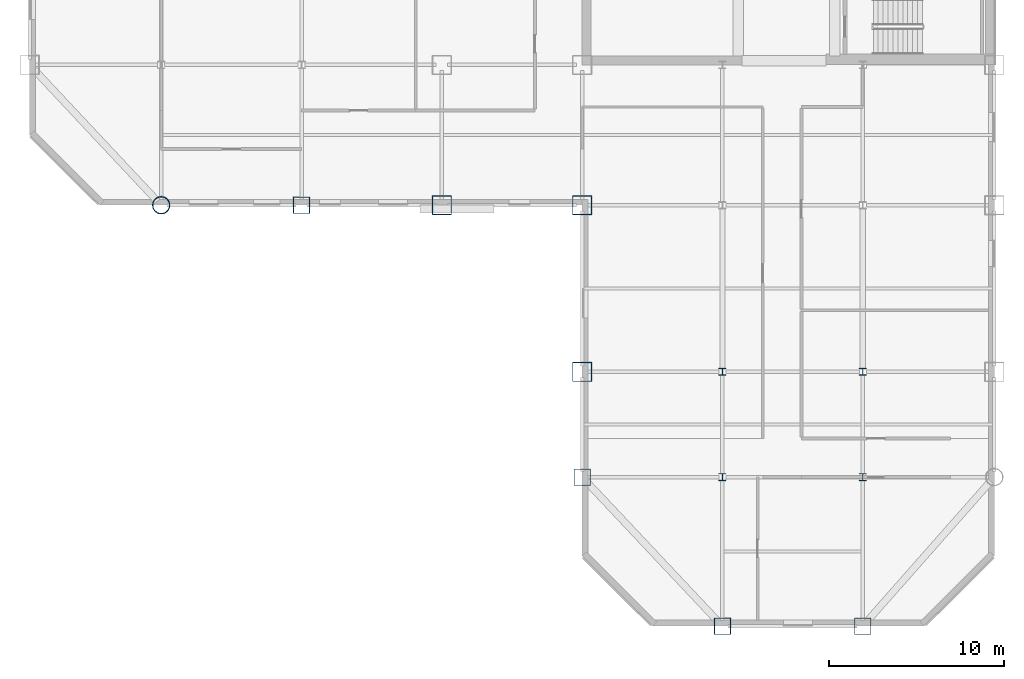
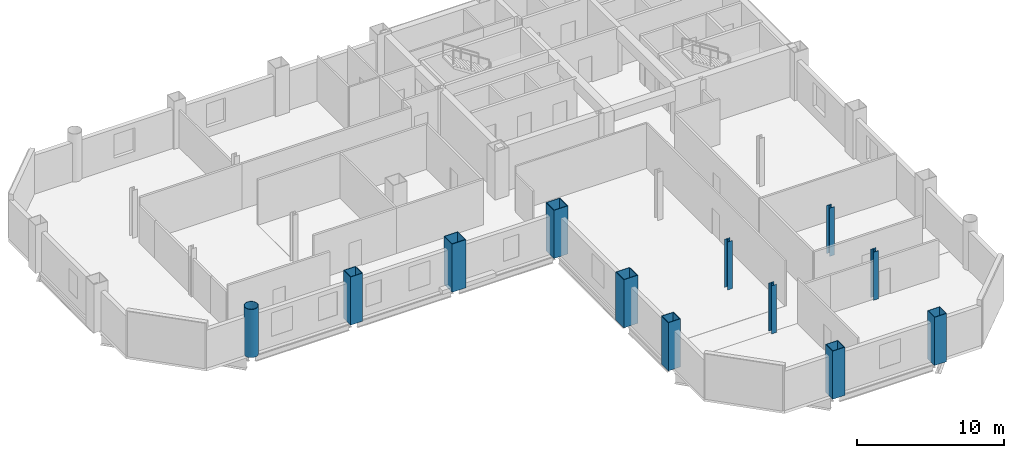
# One storey, part 1 of 9: 12 columns.
"""IFC4 building model written with IfcOpenShell, lengths in metres."""

import ifcopenshell
import ifcopenshell.guid

model = None  # the IFC model being written
_history = None  # IfcOwnerHistory: only IFC2X3 demands one
_inside = {}  # id of a spatial element -> (the spatial element, [elements in it])
_under = {}  # id of a project, library or spatial element -> (it, [spatial elements below it])
_declared = {}  # id of a project -> (the project, [libraries it declares])
_typed = {}  # id of a type object -> (the type object, [elements of that type])
_made_of = {}  # id of a material, layer set ... -> (it, [elements and type objects made of it])


def new_model(schema):
    """Start an empty IFC model of exactly this schema.

    Asked for "IFC4X3", IfcOpenShell would pick the latest addendum, in which some entities
    have other attributes; the version numbers below select the first issue.
    IFC2X3 requires an IfcOwnerHistory on every rooted entity: one is made here for all.
    """
    global model, _history
    if schema == "IFC4X3":
        model = ifcopenshell.file(schema_version=(4, 3, 0, 0))
    else:
        model = ifcopenshell.file(schema=schema)
    _inside.clear()
    _under.clear()
    _declared.clear()
    _typed.clear()
    _made_of.clear()
    _history = None
    if model.schema == "IFC2X3":
        org = make("IfcOrganization", Name="unknown")
        user = make(
            "IfcPersonAndOrganization",
            ThePerson=make("IfcPerson", FamilyName="unknown"),
            TheOrganization=org,
        )
        app = make(
            "IfcApplication",
            ApplicationDeveloper=org,
            Version="unknown",
            ApplicationFullName="unknown",
            ApplicationIdentifier="unknown",
        )
        _history = make(
            "IfcOwnerHistory",
            OwningUser=user,
            OwningApplication=app,
            ChangeAction="ADDED",
            CreationDate=0,
        )
    return model


def make(cls, **values):
    """One entity of the class cls with the attributes given. An attribute that is None is left unset."""
    return model.create_entity(
        cls, **{name: value for name, value in values.items() if value is not None}
    )


def rooted(cls, **values):
    """An entity with a GlobalId (a new one), such as an element, a storey or a relation."""
    return make(cls, GlobalId=ifcopenshell.guid.new(), OwnerHistory=_history, **values)


def si_unit(unit_type, name, prefix=None):
    """IfcSIUnit, for example si_unit("LENGTHUNIT", "METRE", prefix="MILLI")."""
    return make("IfcSIUnit", UnitType=unit_type, Prefix=prefix, Name=name)


def assignment(units):
    """IfcUnitAssignment: the units of a project."""
    return None if units is None else make("IfcUnitAssignment", Units=units)


def point(xyz):
    """IfcCartesianPoint."""
    return None if xyz is None else make("IfcCartesianPoint", Coordinates=xyz)


def direction(xyz):
    """IfcDirection."""
    return None if xyz is None else make("IfcDirection", DirectionRatios=xyz)


def frame(location, z_axis=None, x_axis=None):
    """IfcAxis2Placement3D, a coordinate frame: its origin and axes. An axis left out is left unset."""
    return make(
        "IfcAxis2Placement3D",
        Location=point(location),
        Axis=direction(z_axis),
        RefDirection=direction(x_axis),
    )


def frame_2d(location, x_axis=None):
    """IfcAxis2Placement2D, a coordinate frame in the plane: its origin and x axis."""
    return make(
        "IfcAxis2Placement2D", Location=point(location), RefDirection=direction(x_axis)
    )


def origin():
    """The frame at (0, 0, 0) with its axes left unset."""
    return frame((0.0, 0.0, 0.0))


def origin_2d():
    """The frame at (0, 0) in the plane with its x axis left unset."""
    return frame_2d((0.0, 0.0))


def place(relative_to, where):
    """IfcLocalPlacement: puts the frame where relative to a parent placement (None: the world)."""
    return make(
        "IfcLocalPlacement", PlacementRelTo=relative_to, RelativePlacement=where
    )


def context(
    kind, dimensions, precision=None, world=None, true_north=None, identifier=None
):
    """IfcGeometricRepresentationContext, for example the 3D "Model" context."""
    return make(
        "IfcGeometricRepresentationContext",
        ContextIdentifier=identifier,
        ContextType=kind,
        CoordinateSpaceDimension=dimensions,
        Precision=precision,
        WorldCoordinateSystem=world,
        TrueNorth=true_north,
    )


def subcontext(parent, identifier, kind, view, scale=None):
    """IfcGeometricRepresentationSubContext, for example "Body" below "Model"."""
    return make(
        "IfcGeometricRepresentationSubContext",
        ContextIdentifier=identifier,
        ContextType=kind,
        ParentContext=parent,
        TargetScale=scale,
        TargetView=view,
    )


def project(units=None, contexts=None):
    """IfcProject with its units and contexts."""
    return rooted(
        "IfcProject",
        Name="project",
        RepresentationContexts=contexts,
        UnitsInContext=assignment(units),
    )


def spatial(cls, under=None, at=None, **own):
    """A site, building, storey or space (cls), placed at a placement, below another one or the project."""
    s = rooted(cls, ObjectPlacement=at, **own)
    if under is not None:
        _under.setdefault(under.id(), (under, []))[1].append(s)
    return s


def profile(cls, at=None, kind="AREA", **sizes):
    """A parametric profile (cls). Its sizes go by their IFC names, for example OverallWidth=200.0."""
    return make(cls, ProfileType=kind, Position=at, **sizes)


def hollow_rectangle(**sizes):
    """IfcRectangleHollowProfileDef."""
    return profile("IfcRectangleHollowProfileDef", **sizes)


def hollow_circle(**sizes):
    """IfcCircleHollowProfileDef."""
    return profile("IfcCircleHollowProfileDef", **sizes)


def i_section(**sizes):
    """IfcIShapeProfileDef."""
    return profile("IfcIShapeProfileDef", **sizes)


def extrude(swept, where, along, depth):
    """IfcExtrudedAreaSolid: the profile swept, set in the frame where, extruded along a direction by depth."""
    return make(
        "IfcExtrudedAreaSolid",
        SweptArea=swept,
        Position=where,
        ExtrudedDirection=direction(along),
        Depth=depth,
    )


def shape(context_of_items, identifier, shape_type, items):
    """IfcShapeRepresentation: the items that make up one representation, for example the "Body"."""
    return make(
        "IfcShapeRepresentation",
        ContextOfItems=context_of_items,
        RepresentationIdentifier=identifier,
        RepresentationType=shape_type,
        Items=items,
    )


def material(Name=None, Category=None):
    """IfcMaterial."""
    return make("IfcMaterial", Name=Name, Category=Category)


def material_profile(
    of_material, cross_section, Name=None, Category=None, Priority=None
):
    """IfcMaterialProfile: a cross section and its material."""
    return make(
        "IfcMaterialProfile",
        Name=Name,
        Material=of_material,
        Profile=cross_section,
        Priority=Priority,
        Category=Category,
    )


def profile_set(profiles, Name=None, composite=None):
    """IfcMaterialProfileSet."""
    return make(
        "IfcMaterialProfileSet",
        Name=Name,
        MaterialProfiles=profiles,
        CompositeProfile=composite,
    )


def made_of(thing, what):
    """Note that an element or type object is made of a material, layer set ...; save() writes the relation."""
    if what is not None:
        _made_of.setdefault(what.id(), (what, []))[1].append(thing)
    return thing


def type_object(cls, material=None, **own):
    """A type object (cls), such as IfcWallType, which elements share."""
    return made_of(rooted(cls, **own), material)


def element(
    cls,
    number,
    at=None,
    inside=None,
    cuts=None,
    type_object=None,
    material=None,
    context=None,
    identifier="Body",
    shape_type=None,
    held_by="IfcProductDefinitionShape",
    body=None,
    shapes=None,
    **own,
):
    """One element of the class cls, such as IfcWall. Its Tag is "e" and its number.

    at: its placement. inside: the storey or other place that contains it. cuts: it is an
    opening in that element (IfcRelVoidsElement). A single representation is given by context,
    identifier, shape_type and body (its items); several are given by shapes. held_by: the class
    of the entity that holds the representations. save() writes the other relations.
    """
    e = rooted(cls, Tag="e%d" % number, ObjectPlacement=at, **own)
    if body is not None:
        shapes = [shape(context, identifier, shape_type, body)]
    if shapes is not None:
        e.Representation = make(held_by, Representations=shapes)
    if inside is not None:
        _inside.setdefault(inside.id(), (inside, []))[1].append(e)
    if cuts is not None:
        rooted(
            "IfcRelVoidsElement", RelatingBuildingElement=cuts, RelatedOpeningElement=e
        )
    if type_object is not None:
        _typed.setdefault(type_object.id(), (type_object, []))[1].append(e)
    return made_of(e, material)


def aggregate(whole, parts):
    """IfcRelAggregates: a whole, such as a stair, and the parts it consists of."""
    return rooted("IfcRelAggregates", RelatingObject=whole, RelatedObjects=parts)


def save(model, path):
    """Write the relations noted so far, then the file.

    IfcRelAggregates (storeys below a building ...), IfcRelContainedInSpatialStructure (elements
    in a storey), IfcRelDefinesByType, IfcRelAssociatesMaterial and IfcRelDeclares: one each for
    every whole, place, type object, material and project.
    """
    for whole, parts in _under.values():
        aggregate(whole, parts)
    for where, things in _inside.values():
        rooted(
            "IfcRelContainedInSpatialStructure",
            RelatedElements=things,
            RelatingStructure=where,
        )
    for kind, things in _typed.values():
        rooted("IfcRelDefinesByType", RelatedObjects=things, RelatingType=kind)
    for what, things in _made_of.values():
        rooted("IfcRelAssociatesMaterial", RelatedObjects=things, RelatingMaterial=what)
    for by, libraries in _declared.values():
        rooted("IfcRelDeclares", RelatingContext=by, RelatedDefinitions=libraries)
    model.write(path)


model = new_model("IFC4")

# Units and contexts
model_context = context("Model", 3, precision=1e-05, world=origin(), true_north=direction((0.0, 1.0)))
body_context = subcontext(model_context, "Body", "Model", "MODEL_VIEW")
ifc_project = project(units=[si_unit("LENGTHUNIT", "METRE"), si_unit("AREAUNIT", "SQUARE_METRE"), si_unit("VOLUMEUNIT", "CUBIC_METRE"), si_unit("PLANEANGLEUNIT", "RADIAN"), si_unit("MASSUNIT", "GRAM", prefix="KILO")], contexts=[model_context])

# Site, building, storey
site_placement = place(None, origin())
site = spatial("IfcSite", under=ifc_project, at=site_placement, CompositionType="ELEMENT")
building_placement = place(site_placement, origin())
building = spatial("IfcBuilding", under=site, at=building_placement, Name="Qianrong Seaharbour Tower", CompositionType="ELEMENT")
storey_placement = place(building_placement, frame((0.0, 0.0, 143.0)))
storey = spatial("IfcBuildingStorey", under=building, at=storey_placement, Name="L34", CompositionType="ELEMENT", Elevation=143.0)

# Columns
ifc_material = material(Name="Structural steel SN490B", Category="steel")
ifc_material_profile_1 = material_profile(ifc_material, hollow_rectangle(XDim=1.10009765625, YDim=1.10009765625, WallThickness=0.0400390625, at=origin_2d()), Name="BOX1100x1100x40")
ifc_profile_set_1 = profile_set([ifc_material_profile_1], Name="Structural steel SN490B")
column_type_1 = type_object("IfcColumnType", Name="COL-CFT-1100", PredefinedType="COLUMN", material=ifc_profile_set_1)
for number, where, z_axis, x_axis, name in (
    (1, (32.5, 28.0, 0.0), (0.0, 0.0, 1.0), (1.0, 0.0, 0.0), "L34 Column MC-3 at G5/GE"),
    (2, (40.5, 18.5, 0.0), (0.0, 0.0, 1.0), (1.0, 0.0, 0.0), "L34 Column MC-3 at G6/GD"),
    (3, (40.5, 28.0, 0.0), (0.0, 0.0, 1.0), (1.0, 0.0, 0.0), "L34 Column MC-3 at G6/GE"),
):
    element("IfcColumn", number, at=place(storey_placement, frame(where, z_axis=z_axis, x_axis=x_axis)), inside=storey, type_object=column_type_1, Name=name, PredefinedType="COLUMN", context=body_context, shape_type="SweptSolid", body=[
        extrude(hollow_rectangle(XDim=1.10009765625, YDim=1.10009765625, WallThickness=0.0400390625, at=origin_2d()), origin(), (0.0, 0.0, 1.0), 4.0),
    ])
ifc_material_profile_2 = material_profile(ifc_material, hollow_circle(Radius=0.5, WallThickness=0.035888671875, at=origin_2d()), Name="CHS1000x36")
ifc_profile_set_2 = profile_set([ifc_material_profile_2], Name="Structural steel SN490B")
column_type_2 = type_object("IfcColumnType", Name="COL-CHS-1000", PredefinedType="COLUMN", material=ifc_profile_set_2)
column_placement = place(storey_placement, frame((16.5, 28.0, 0.0), z_axis=(0.0, 0.0, 1.0), x_axis=(1.0, 0.0, 0.0)))
element("IfcColumn", 4, at=column_placement, inside=storey, type_object=column_type_2, Name="L34 Column CC-2 at G3/GE", PredefinedType="COLUMN", context=body_context, shape_type="SweptSolid", body=[
    extrude(hollow_circle(Radius=0.5, WallThickness=0.035888671875, at=origin_2d()), origin(), (0.0, 0.0, 1.0), 4.0),
])
ifc_material_profile_3 = material_profile(ifc_material, i_section(OverallWidth=0.39990234375, OverallDepth=0.39990234375, WebThickness=0.012939453125, FlangeThickness=0.02099609375, FilletRadius=0.02197265625, at=origin_2d()), Name="H400x400x13x21")
ifc_profile_set_3 = profile_set([ifc_material_profile_3], Name="Structural steel SN490B")
column_type_3 = type_object("IfcColumnType", Name="COL-INT-H400", PredefinedType="COLUMN", material=ifc_profile_set_3)
for number, where, z_axis, x_axis, name in (
    (5, (48.5, 12.5, 0.0), (0.0, 0.0, 1.0), (1.0, 0.0, 0.0), "L34 Column IC-3 at G7/GC"),
    (6, (48.5, 18.5, 0.0), (0.0, 0.0, 1.0), (1.0, 0.0, 0.0), "L34 Column IC-3 at G7/GD"),
    (7, (56.5, 12.5, 0.0), (0.0, 0.0, 1.0), (1.0, 0.0, 0.0), "L34 Column IC-3 at G8/GC"),
    (8, (56.5, 18.5, 0.0), (0.0, 0.0, 1.0), (1.0, 0.0, 0.0), "L34 Column IC-3 at G8/GD"),
):
    element("IfcColumn", number, at=place(storey_placement, frame(where, z_axis=z_axis, x_axis=x_axis)), inside=storey, type_object=column_type_3, Name=name, PredefinedType="COLUMN", context=body_context, shape_type="SweptSolid", body=[
        extrude(i_section(OverallWidth=0.39990234375, OverallDepth=0.39990234375, WebThickness=0.012939453125, FlangeThickness=0.02099609375, FilletRadius=0.02197265625, at=origin_2d()), origin(), (0.0, 0.0, 1.0), 4.0),
    ])
ifc_material_profile_4 = material_profile(ifc_material, hollow_rectangle(XDim=0.949951171875, YDim=0.949951171875, WallThickness=0.035888671875, at=origin_2d()), Name="BOX950x950x36")
ifc_profile_set_4 = profile_set([ifc_material_profile_4], Name="Structural steel SN490B")
column_type_4 = type_object("IfcColumnType", Name="COL-PER-950", PredefinedType="COLUMN", material=ifc_profile_set_4)
for number, where, z_axis, x_axis, name in (
    (9, (24.5, 28.0, 0.0), (0.0, 0.0, 1.0), (1.0, 0.0, 0.0), "L34 Column PC-2 at G4/GE"),
    (10, (40.5, 12.5, 0.0), (0.0, 0.0, 1.0), (1.0, 0.0, 0.0), "L34 Column PC-2 at G6/GC"),
    (11, (48.5, 4.0, 0.0), (0.0, 0.0, 1.0), (1.0, 0.0, 0.0), "L34 Column PC-2 at G7/GB"),
    (12, (56.5, 4.0, 0.0), (0.0, 0.0, 1.0), (1.0, 0.0, 0.0), "L34 Column PC-2 at G8/GB"),
):
    element("IfcColumn", number, at=place(storey_placement, frame(where, z_axis=z_axis, x_axis=x_axis)), inside=storey, type_object=column_type_4, Name=name, PredefinedType="COLUMN", context=body_context, shape_type="SweptSolid", body=[
        extrude(hollow_rectangle(XDim=0.949951171875, YDim=0.949951171875, WallThickness=0.035888671875, at=origin_2d()), origin(), (0.0, 0.0, 1.0), 4.0),
    ])

save(model, "model.ifc")
